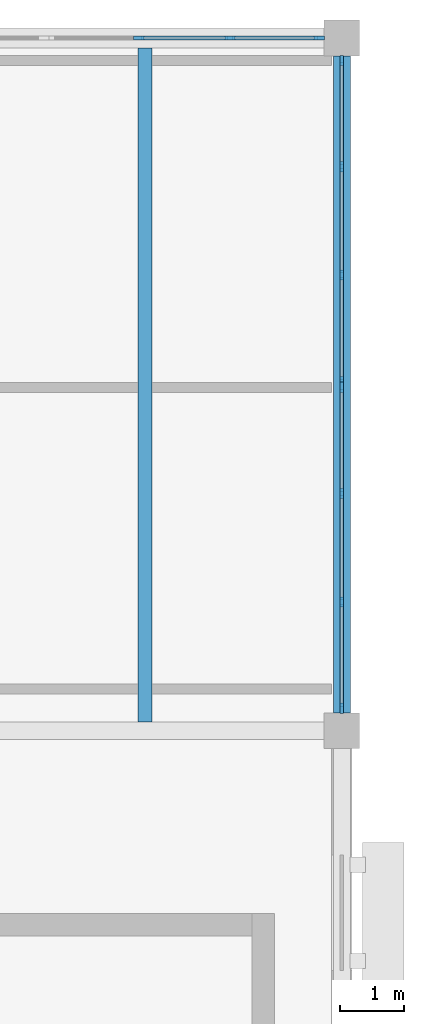
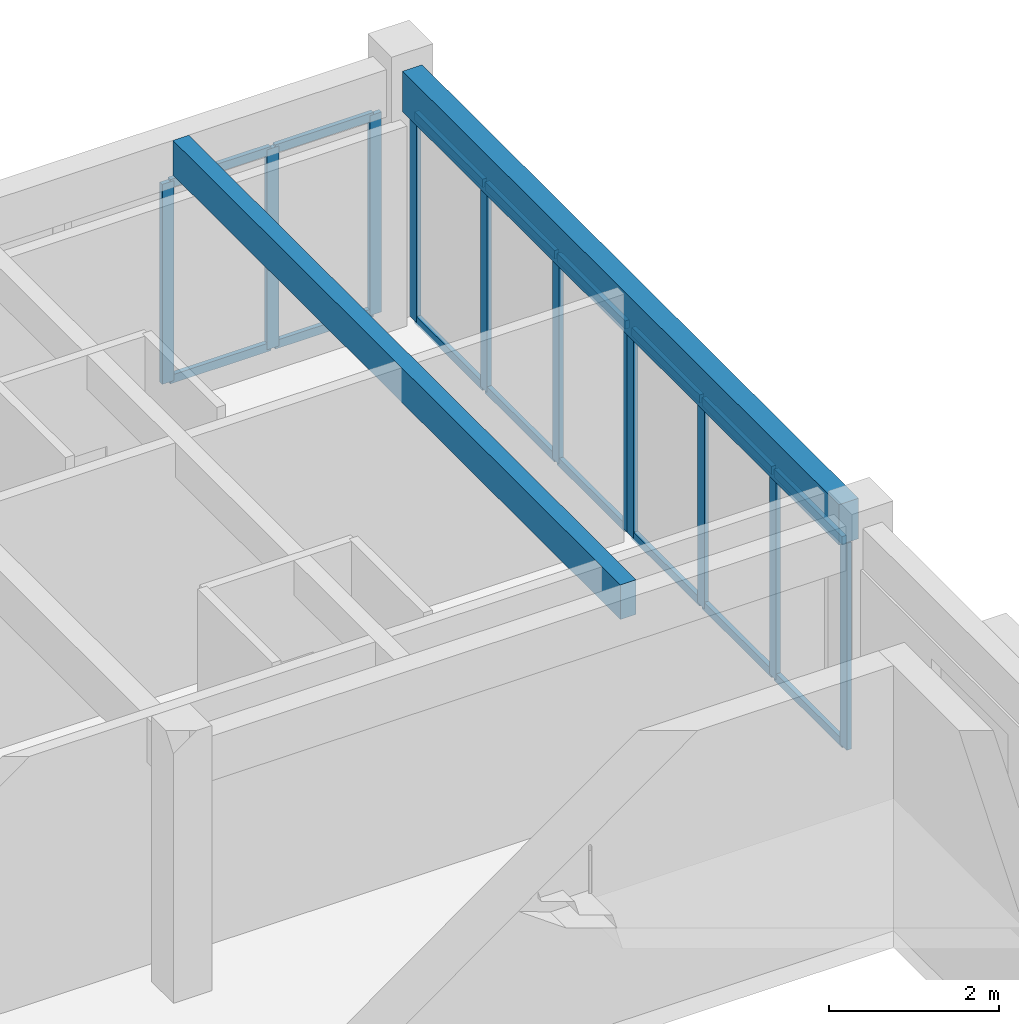
# One storey, part 7 of 31: 27 members, 2 beams, 3 elements without a shape of their own.
"""IFC4 building model written with IfcOpenShell, lengths in metres."""

from ifc_helpers import new_model, si_unit, direction, frame, origin, origin_2d, place, context, subcontext, project, spatial, rectangle, extrude, material, material_profile, profile_set, type_object, element, aggregate, save


model = new_model("IFC4")

# Units and contexts
model_context = context("Model", 3, precision=1e-05, world=origin(), true_north=direction((0.0, 1.0)))
body_context = subcontext(model_context, "Body", "Model", "MODEL_VIEW")
ifc_project = project(units=[si_unit("LENGTHUNIT", "METRE"), si_unit("AREAUNIT", "SQUARE_METRE"), si_unit("VOLUMEUNIT", "CUBIC_METRE"), si_unit("PLANEANGLEUNIT", "RADIAN"), si_unit("MASSUNIT", "GRAM", prefix="KILO")], contexts=[model_context])

# Site, building, storey
site_placement = place(None, origin())
site = spatial("IfcSite", under=ifc_project, at=site_placement, CompositionType="ELEMENT")
building_placement = place(site_placement, origin())
building = spatial("IfcBuilding", under=site, at=building_placement, Name="Veldera Park Congress Hotel", CompositionType="ELEMENT")
storey_placement = place(building_placement, frame((0.0, 0.0, 20.0)))
storey = spatial("IfcBuildingStorey", under=building, at=storey_placement, Name="L04", CompositionType="ELEMENT", Elevation=20.0)

# Beam
ifc_material_1 = material(Name="Glulam GL28h (NDS 24F-V4)", Category="wood")
ifc_material_profile_1 = material_profile(ifc_material_1, rectangle(XDim=0.264892578125, YDim=0.580078125, at=origin_2d()), Name="GL28h 265x580")
ifc_profile_set_1 = profile_set([ifc_material_profile_1], Name="Glulam GL28h (NDS 24F-V4)")
beam_type_1 = type_object("IfcBeamType", Name="BM-GL540E", PredefinedType="BEAM", material=ifc_profile_set_1)
beam_1_placement = place(storey_placement, frame((84.0, 47.47998046875, 3.260009765625), z_axis=(0.0, 1.0, 0.0), x_axis=(-1.0, 0.0, 0.0)))
element("IfcBeam", 1, at=beam_1_placement, inside=storey, type_object=beam_type_1, Name="L04 Girder BM-GL540E 1345", PredefinedType="BEAM", context=body_context, shape_type="SweptSolid", body=[
    extrude(rectangle(XDim=0.264892578125, YDim=0.580078125, at=origin_2d()), origin(), (0.0, 0.0, 1.0), 10.239990234375),
])

# Curtain wall, members
ifc_material_2 = material(Name="Low-E Triple Insulating Glass Unit (SHGC 0.22)", Category="glass")
curtain_wall_type = type_object("IfcCurtainWallType", Name="CW-HTL", PredefinedType="NOTDEFINED", material=ifc_material_2)
curtain_wall_1_placement = place(storey_placement, origin())
curtain_wall_1 = element("IfcCurtainWall", 2, at=curtain_wall_1_placement, inside=storey, type_object=curtain_wall_type, Name="L04 Curtain Wall CW3-HTLNE-L04-100", PredefinedType="NOTDEFINED")
ifc_material_3 = material(Name="Anodised Aluminium Alloy 6063-T6", Category="aluminium")
ifc_material_profile_2 = material_profile(ifc_material_3, rectangle(XDim=0.06005859375, YDim=0.159912109375, at=origin_2d()), Name="ALU 60x160")
ifc_profile_set_2 = profile_set([ifc_material_profile_2], Name="Anodised Aluminium Alloy 6063-T6")
member_type_1 = type_object("IfcMemberType", Name="CWM-160", PredefinedType="MULLION", material=ifc_profile_set_2)
member_1_placement = place(storey_placement, frame((84.0, 47.550048828125, 0.0), z_axis=(0.0, 0.0, 1.0), x_axis=(-1.0, 0.0, 0.0)))
member_1 = element("IfcMember", 3, at=member_1_placement, type_object=member_type_1, Name="CW-HTL mullion 1", PredefinedType="MULLION", context=body_context, shape_type="SweptSolid", body=[
    extrude(rectangle(XDim=0.06005859375, YDim=0.159912109375, at=origin_2d()), origin(), (0.0, 0.0, 1.0), 2.965087890625),
])
member_2_placement = place(storey_placement, frame((84.0, 49.208251953125, 0.0), z_axis=(0.0, 0.0, 1.0), x_axis=(-1.0, 0.0, 0.0)))
member_2 = element("IfcMember", 4, at=member_2_placement, type_object=member_type_1, Name="CW-HTL mullion 2", PredefinedType="MULLION", context=body_context, shape_type="SweptSolid", body=[
    extrude(rectangle(XDim=0.06005859375, YDim=0.159912109375, at=origin_2d()), origin(), (0.0, 0.0, 1.0), 2.965087890625),
])
member_3_placement = place(storey_placement, frame((84.0, 50.896728515625, 0.0), z_axis=(0.0, 0.0, 1.0), x_axis=(-1.0, 0.0, 0.0)))
member_3 = element("IfcMember", 5, at=member_3_placement, type_object=member_type_1, Name="CW-HTL mullion 3", PredefinedType="MULLION", context=body_context, shape_type="SweptSolid", body=[
    extrude(rectangle(XDim=0.06005859375, YDim=0.159912109375, at=origin_2d()), origin(), (0.0, 0.0, 1.0), 2.965087890625),
])
member_4_placement = place(storey_placement, frame((84.0, 52.554931640625, 0.0), z_axis=(0.0, 0.0, 1.0), x_axis=(-1.0, 0.0, 0.0)))
member_4 = element("IfcMember", 6, at=member_4_placement, type_object=member_type_1, Name="CW-HTL mullion 4", PredefinedType="MULLION", context=body_context, shape_type="SweptSolid", body=[
    extrude(rectangle(XDim=0.06005859375, YDim=0.159912109375, at=origin_2d()), origin(), (0.0, 0.0, 1.0), 2.965087890625),
])

curtain_wall_2_placement = place(storey_placement, origin())
curtain_wall_2 = element("IfcCurtainWall", 7, at=curtain_wall_2_placement, inside=storey, type_object=curtain_wall_type, Name="L04 Curtain Wall CW3-HTLNE-L04-101", PredefinedType="NOTDEFINED")
member_5_placement = place(storey_placement, frame((84.0, 52.64501953125, 0.0), z_axis=(0.0, 0.0, 1.0), x_axis=(-1.0, 0.0, 0.0)))
member_5 = element("IfcMember", 8, at=member_5_placement, type_object=member_type_1, Name="CW-HTL mullion 1", PredefinedType="MULLION", context=body_context, shape_type="SweptSolid", body=[
    extrude(rectangle(XDim=0.06005859375, YDim=0.159912109375, at=origin_2d()), origin(), (0.0, 0.0, 1.0), 2.965087890625),
])
member_6_placement = place(storey_placement, frame((84.0, 54.30322265625, 0.0), z_axis=(0.0, 0.0, 1.0), x_axis=(-1.0, 0.0, 0.0)))
member_6 = element("IfcMember", 9, at=member_6_placement, type_object=member_type_1, Name="CW-HTL mullion 2", PredefinedType="MULLION", context=body_context, shape_type="SweptSolid", body=[
    extrude(rectangle(XDim=0.06005859375, YDim=0.159912109375, at=origin_2d()), origin(), (0.0, 0.0, 1.0), 2.965087890625),
])
member_7_placement = place(storey_placement, frame((84.0, 55.99169921875, 0.0), z_axis=(0.0, 0.0, 1.0), x_axis=(-1.0, 0.0, 0.0)))
member_7 = element("IfcMember", 10, at=member_7_placement, type_object=member_type_1, Name="CW-HTL mullion 3", PredefinedType="MULLION", context=body_context, shape_type="SweptSolid", body=[
    extrude(rectangle(XDim=0.06005859375, YDim=0.159912109375, at=origin_2d()), origin(), (0.0, 0.0, 1.0), 2.965087890625),
])
member_8_placement = place(storey_placement, frame((84.0, 57.64990234375, 0.0), z_axis=(0.0, 0.0, 1.0), x_axis=(-1.0, 0.0, 0.0)))
member_8 = element("IfcMember", 11, at=member_8_placement, type_object=member_type_1, Name="CW-HTL mullion 4", PredefinedType="MULLION", context=body_context, shape_type="SweptSolid", body=[
    extrude(rectangle(XDim=0.06005859375, YDim=0.159912109375, at=origin_2d()), origin(), (0.0, 0.0, 1.0), 2.965087890625),
])

curtain_wall_3_placement = place(storey_placement, origin())
curtain_wall_3 = element("IfcCurtainWall", 12, at=curtain_wall_3_placement, inside=storey, type_object=curtain_wall_type, Name="L04 Curtain Wall CW3-HTLNN-L04-102", PredefinedType="NOTDEFINED")
member_9_placement = place(storey_placement, frame((83.64990234375, 58.0, 0.0), z_axis=(0.0, 0.0, 1.0), x_axis=(0.0, -1.0, 0.0)))
member_9 = element("IfcMember", 13, at=member_9_placement, type_object=member_type_1, Name="CW-HTL mullion 1", PredefinedType="MULLION", context=body_context, shape_type="SweptSolid", body=[
    extrude(rectangle(XDim=0.06005859375, YDim=0.159912109375, at=origin_2d()), origin(), (0.0, 0.0, 1.0), 2.864990234375),
])
member_10_placement = place(storey_placement, frame((82.25830078125, 58.0, 0.0), z_axis=(0.0, 0.0, 1.0), x_axis=(0.0, -1.0, 0.0)))
member_10 = element("IfcMember", 14, at=member_10_placement, type_object=member_type_1, Name="CW-HTL mullion 2", PredefinedType="MULLION", context=body_context, shape_type="SweptSolid", body=[
    extrude(rectangle(XDim=0.06005859375, YDim=0.159912109375, at=origin_2d()), origin(), (0.0, 0.0, 1.0), 2.864990234375),
])
member_11_placement = place(storey_placement, frame((80.836669921875, 58.0, 0.0), z_axis=(0.0, 0.0, 1.0), x_axis=(0.0, -1.0, 0.0)))
member_11 = element("IfcMember", 15, at=member_11_placement, type_object=member_type_1, Name="CW-HTL mullion 3", PredefinedType="MULLION", context=body_context, shape_type="SweptSolid", body=[
    extrude(rectangle(XDim=0.06005859375, YDim=0.159912109375, at=origin_2d()), origin(), (0.0, 0.0, 1.0), 2.864990234375),
])

# Member
ifc_material_profile_3 = material_profile(ifc_material_3, rectangle(XDim=0.06005859375, YDim=0.1201171875, at=origin_2d()), Name="ALU 60x120")
ifc_profile_set_3 = profile_set([ifc_material_profile_3], Name="Anodised Aluminium Alloy 6063-T6")
member_type_2 = type_object("IfcMemberType", Name="CWT-120", PredefinedType="USERDEFINED", material=ifc_profile_set_3)
member_12_placement = place(storey_placement, frame((84.0, 47.580078125, 0.030029296875), z_axis=(0.0, 1.0, 0.0), x_axis=(-1.0, 0.0, 0.0)))
member_12 = element("IfcMember", 16, at=member_12_placement, type_object=member_type_2, Name="CW-HTL transom 1.1", ObjectType="TRANSOM", PredefinedType="USERDEFINED", context=body_context, shape_type="SweptSolid", body=[
    extrude(rectangle(XDim=0.06005859375, YDim=0.1201171875, at=origin_2d()), origin(), (0.0, 0.0, 1.0), 1.59814453125),
])

member_13_placement = place(storey_placement, frame((84.0, 47.580078125, 2.93505859375), z_axis=(0.0, 1.0, 0.0), x_axis=(-1.0, 0.0, 0.0)))
member_13 = element("IfcMember", 17, at=member_13_placement, type_object=member_type_2, Name="CW-HTL transom 1.2", ObjectType="TRANSOM", PredefinedType="USERDEFINED", context=body_context, shape_type="SweptSolid", body=[
    extrude(rectangle(XDim=0.06005859375, YDim=0.1201171875, at=origin_2d()), origin(), (0.0, 0.0, 1.0), 1.59814453125),
])

member_14_placement = place(storey_placement, frame((84.0, 49.23828125, 0.030029296875), z_axis=(0.0, 1.0, 0.0), x_axis=(-1.0, 0.0, 0.0)))
member_14 = element("IfcMember", 18, at=member_14_placement, type_object=member_type_2, Name="CW-HTL transom 2.1", ObjectType="TRANSOM", PredefinedType="USERDEFINED", context=body_context, shape_type="SweptSolid", body=[
    extrude(rectangle(XDim=0.06005859375, YDim=0.1201171875, at=origin_2d()), origin(), (0.0, 0.0, 1.0), 1.62841796875),
])

member_15_placement = place(storey_placement, frame((84.0, 49.23828125, 2.93505859375), z_axis=(0.0, 1.0, 0.0), x_axis=(-1.0, 0.0, 0.0)))
member_15 = element("IfcMember", 19, at=member_15_placement, type_object=member_type_2, Name="CW-HTL transom 2.2", ObjectType="TRANSOM", PredefinedType="USERDEFINED", context=body_context, shape_type="SweptSolid", body=[
    extrude(rectangle(XDim=0.06005859375, YDim=0.1201171875, at=origin_2d()), origin(), (0.0, 0.0, 1.0), 1.62841796875),
])

member_16_placement = place(storey_placement, frame((84.0, 50.9267578125, 0.030029296875), z_axis=(0.0, 1.0, 0.0), x_axis=(-1.0, 0.0, 0.0)))
member_16 = element("IfcMember", 20, at=member_16_placement, type_object=member_type_2, Name="CW-HTL transom 3.1", ObjectType="TRANSOM", PredefinedType="USERDEFINED", context=body_context, shape_type="SweptSolid", body=[
    extrude(rectangle(XDim=0.06005859375, YDim=0.1201171875, at=origin_2d()), origin(), (0.0, 0.0, 1.0), 1.59814453125),
])

member_17_placement = place(storey_placement, frame((84.0, 50.9267578125, 2.93505859375), z_axis=(0.0, 1.0, 0.0), x_axis=(-1.0, 0.0, 0.0)))
member_17 = element("IfcMember", 21, at=member_17_placement, type_object=member_type_2, Name="CW-HTL transom 3.2", ObjectType="TRANSOM", PredefinedType="USERDEFINED", context=body_context, shape_type="SweptSolid", body=[
    extrude(rectangle(XDim=0.06005859375, YDim=0.1201171875, at=origin_2d()), origin(), (0.0, 0.0, 1.0), 1.59814453125),
])

aggregate(curtain_wall_1, [member_1, member_2, member_3, member_4, member_12, member_13, member_14, member_15, member_16, member_17])

member_18_placement = place(storey_placement, frame((84.0, 52.675048828125, 0.030029296875), z_axis=(0.0, 1.0, 0.0), x_axis=(-1.0, 0.0, 0.0)))
member_18 = element("IfcMember", 22, at=member_18_placement, type_object=member_type_2, Name="CW-HTL transom 1.1", ObjectType="TRANSOM", PredefinedType="USERDEFINED", context=body_context, shape_type="SweptSolid", body=[
    extrude(rectangle(XDim=0.06005859375, YDim=0.1201171875, at=origin_2d()), origin(), (0.0, 0.0, 1.0), 1.598388671875),
])

member_19_placement = place(storey_placement, frame((84.0, 52.675048828125, 2.93505859375), z_axis=(0.0, 1.0, 0.0), x_axis=(-1.0, 0.0, 0.0)))
member_19 = element("IfcMember", 23, at=member_19_placement, type_object=member_type_2, Name="CW-HTL transom 1.2", ObjectType="TRANSOM", PredefinedType="USERDEFINED", context=body_context, shape_type="SweptSolid", body=[
    extrude(rectangle(XDim=0.06005859375, YDim=0.1201171875, at=origin_2d()), origin(), (0.0, 0.0, 1.0), 1.598388671875),
])

member_20_placement = place(storey_placement, frame((84.0, 54.333251953125, 0.030029296875), z_axis=(0.0, 1.0, 0.0), x_axis=(-1.0, 0.0, 0.0)))
member_20 = element("IfcMember", 24, at=member_20_placement, type_object=member_type_2, Name="CW-HTL transom 2.1", ObjectType="TRANSOM", PredefinedType="USERDEFINED", context=body_context, shape_type="SweptSolid", body=[
    extrude(rectangle(XDim=0.06005859375, YDim=0.1201171875, at=origin_2d()), origin(), (0.0, 0.0, 1.0), 1.62841796875),
])

member_21_placement = place(storey_placement, frame((84.0, 54.333251953125, 2.93505859375), z_axis=(0.0, 1.0, 0.0), x_axis=(-1.0, 0.0, 0.0)))
member_21 = element("IfcMember", 25, at=member_21_placement, type_object=member_type_2, Name="CW-HTL transom 2.2", ObjectType="TRANSOM", PredefinedType="USERDEFINED", context=body_context, shape_type="SweptSolid", body=[
    extrude(rectangle(XDim=0.06005859375, YDim=0.1201171875, at=origin_2d()), origin(), (0.0, 0.0, 1.0), 1.62841796875),
])

member_22_placement = place(storey_placement, frame((84.0, 56.021728515625, 0.030029296875), z_axis=(0.0, 1.0, 0.0), x_axis=(-1.0, 0.0, 0.0)))
member_22 = element("IfcMember", 26, at=member_22_placement, type_object=member_type_2, Name="CW-HTL transom 3.1", ObjectType="TRANSOM", PredefinedType="USERDEFINED", context=body_context, shape_type="SweptSolid", body=[
    extrude(rectangle(XDim=0.06005859375, YDim=0.1201171875, at=origin_2d()), origin(), (0.0, 0.0, 1.0), 1.598388671875),
])

member_23_placement = place(storey_placement, frame((84.0, 56.021728515625, 2.93505859375), z_axis=(0.0, 1.0, 0.0), x_axis=(-1.0, 0.0, 0.0)))
member_23 = element("IfcMember", 27, at=member_23_placement, type_object=member_type_2, Name="CW-HTL transom 3.2", ObjectType="TRANSOM", PredefinedType="USERDEFINED", context=body_context, shape_type="SweptSolid", body=[
    extrude(rectangle(XDim=0.06005859375, YDim=0.1201171875, at=origin_2d()), origin(), (0.0, 0.0, 1.0), 1.598388671875),
])

aggregate(curtain_wall_2, [member_5, member_6, member_7, member_8, member_18, member_19, member_20, member_21, member_22, member_23])

member_24_placement = place(storey_placement, frame((83.6201171875, 58.0, 0.030029296875), z_axis=(-1.0, 0.0, 0.0), x_axis=(0.0, -1.0, 0.0)))
member_24 = element("IfcMember", 28, at=member_24_placement, type_object=member_type_2, Name="CW-HTL transom 1.1", ObjectType="TRANSOM", PredefinedType="USERDEFINED", context=body_context, shape_type="SweptSolid", body=[
    extrude(rectangle(XDim=0.06005859375, YDim=0.1201171875, at=origin_2d()), origin(), (0.0, 0.0, 1.0), 1.331787109375),
])

member_25_placement = place(storey_placement, frame((83.6201171875, 58.0, 2.8349609375), z_axis=(-1.0, 0.0, 0.0), x_axis=(0.0, -1.0, 0.0)))
member_25 = element("IfcMember", 29, at=member_25_placement, type_object=member_type_2, Name="CW-HTL transom 1.2", ObjectType="TRANSOM", PredefinedType="USERDEFINED", context=body_context, shape_type="SweptSolid", body=[
    extrude(rectangle(XDim=0.06005859375, YDim=0.1201171875, at=origin_2d()), origin(), (0.0, 0.0, 1.0), 1.331787109375),
])

member_26_placement = place(storey_placement, frame((82.228271484375, 58.0, 0.030029296875), z_axis=(-1.0, 0.0, 0.0), x_axis=(0.0, -1.0, 0.0)))
member_26 = element("IfcMember", 30, at=member_26_placement, type_object=member_type_2, Name="CW-HTL transom 2.1", ObjectType="TRANSOM", PredefinedType="USERDEFINED", context=body_context, shape_type="SweptSolid", body=[
    extrude(rectangle(XDim=0.06005859375, YDim=0.1201171875, at=origin_2d()), origin(), (0.0, 0.0, 1.0), 1.361572265625),
])

member_27_placement = place(storey_placement, frame((82.228271484375, 58.0, 2.8349609375), z_axis=(-1.0, 0.0, 0.0), x_axis=(0.0, -1.0, 0.0)))
member_27 = element("IfcMember", 31, at=member_27_placement, type_object=member_type_2, Name="CW-HTL transom 2.2", ObjectType="TRANSOM", PredefinedType="USERDEFINED", context=body_context, shape_type="SweptSolid", body=[
    extrude(rectangle(XDim=0.06005859375, YDim=0.1201171875, at=origin_2d()), origin(), (0.0, 0.0, 1.0), 1.361572265625),
])

aggregate(curtain_wall_3, [member_9, member_10, member_11, member_24, member_25, member_26, member_27])

# Beam
ifc_material_profile_4 = material_profile(ifc_material_1, rectangle(XDim=0.215087890625, YDim=0.4951171875, at=origin_2d()), Name="GL28h 215x495")
ifc_profile_set_4 = profile_set([ifc_material_profile_4], Name="Glulam GL28h (NDS 24F-V4)")
beam_type_2 = type_object("IfcBeamType", Name="JST-GL495", PredefinedType="JOIST", material=ifc_profile_set_4)
beam_2_placement = place(storey_placement, frame((80.933349609375, 47.340087890625, 3.302490234375), z_axis=(0.0, 1.0, 0.0), x_axis=(-1.0, 0.0, 0.0)))
element("IfcBeam", 32, at=beam_2_placement, inside=storey, type_object=beam_type_2, Name="L04 Floor Joist JST-GL495 1388", PredefinedType="JOIST", context=body_context, shape_type="SweptSolid", body=[
    extrude(rectangle(XDim=0.215087890625, YDim=0.4951171875, at=origin_2d()), origin(), (0.0, 0.0, 1.0), 10.50244140625),
])

save(model, "model.ifc")
